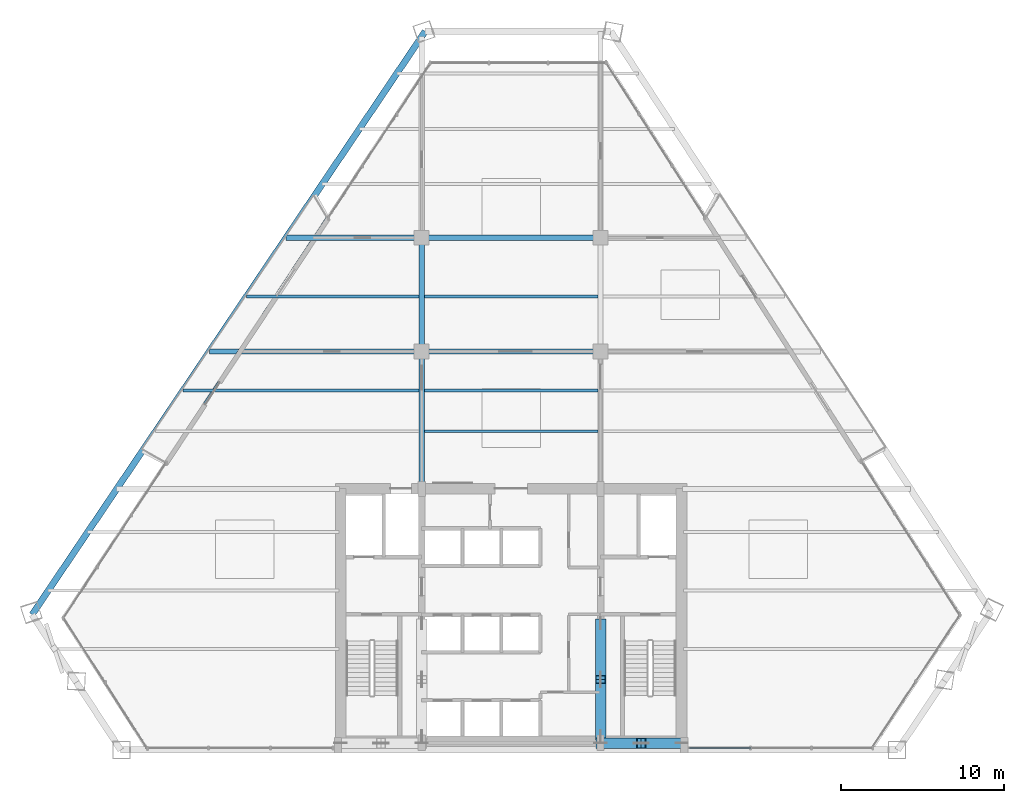
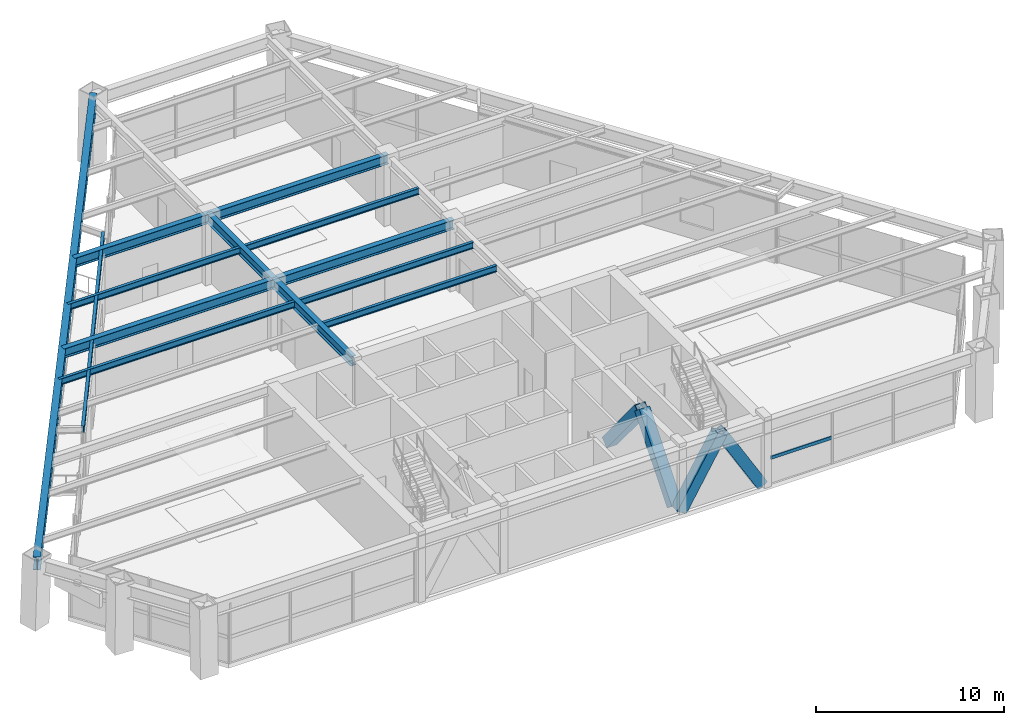
# One storey, part 4 of 12: 13 beams, 5 members, 1 element without a shape of its own.
"""IFC4 building model written with IfcOpenShell, lengths in metres."""

import ifcopenshell
import ifcopenshell.guid

model = None  # the IFC model being written
_history = None  # IfcOwnerHistory: only IFC2X3 demands one
_inside = {}  # id of a spatial element -> (the spatial element, [elements in it])
_under = {}  # id of a project, library or spatial element -> (it, [spatial elements below it])
_declared = {}  # id of a project -> (the project, [libraries it declares])
_typed = {}  # id of a type object -> (the type object, [elements of that type])
_made_of = {}  # id of a material, layer set ... -> (it, [elements and type objects made of it])


def new_model(schema):
    """Start an empty IFC model of exactly this schema.

    Asked for "IFC4X3", IfcOpenShell would pick the latest addendum, in which some entities
    have other attributes; the version numbers below select the first issue.
    IFC2X3 requires an IfcOwnerHistory on every rooted entity: one is made here for all.
    """
    global model, _history
    if schema == "IFC4X3":
        model = ifcopenshell.file(schema_version=(4, 3, 0, 0))
    else:
        model = ifcopenshell.file(schema=schema)
    _inside.clear()
    _under.clear()
    _declared.clear()
    _typed.clear()
    _made_of.clear()
    _history = None
    if model.schema == "IFC2X3":
        org = make("IfcOrganization", Name="unknown")
        user = make(
            "IfcPersonAndOrganization",
            ThePerson=make("IfcPerson", FamilyName="unknown"),
            TheOrganization=org,
        )
        app = make(
            "IfcApplication",
            ApplicationDeveloper=org,
            Version="unknown",
            ApplicationFullName="unknown",
            ApplicationIdentifier="unknown",
        )
        _history = make(
            "IfcOwnerHistory",
            OwningUser=user,
            OwningApplication=app,
            ChangeAction="ADDED",
            CreationDate=0,
        )
    return model


def make(cls, **values):
    """One entity of the class cls with the attributes given. An attribute that is None is left unset."""
    return model.create_entity(
        cls, **{name: value for name, value in values.items() if value is not None}
    )


def rooted(cls, **values):
    """An entity with a GlobalId (a new one), such as an element, a storey or a relation."""
    return make(cls, GlobalId=ifcopenshell.guid.new(), OwnerHistory=_history, **values)


def si_unit(unit_type, name, prefix=None):
    """IfcSIUnit, for example si_unit("LENGTHUNIT", "METRE", prefix="MILLI")."""
    return make("IfcSIUnit", UnitType=unit_type, Prefix=prefix, Name=name)


def assignment(units):
    """IfcUnitAssignment: the units of a project."""
    return None if units is None else make("IfcUnitAssignment", Units=units)


def point(xyz):
    """IfcCartesianPoint."""
    return None if xyz is None else make("IfcCartesianPoint", Coordinates=xyz)


def direction(xyz):
    """IfcDirection."""
    return None if xyz is None else make("IfcDirection", DirectionRatios=xyz)


def frame(location, z_axis=None, x_axis=None):
    """IfcAxis2Placement3D, a coordinate frame: its origin and axes. An axis left out is left unset."""
    return make(
        "IfcAxis2Placement3D",
        Location=point(location),
        Axis=direction(z_axis),
        RefDirection=direction(x_axis),
    )


def frame_2d(location, x_axis=None):
    """IfcAxis2Placement2D, a coordinate frame in the plane: its origin and x axis."""
    return make(
        "IfcAxis2Placement2D", Location=point(location), RefDirection=direction(x_axis)
    )


def origin():
    """The frame at (0, 0, 0) with its axes left unset."""
    return frame((0.0, 0.0, 0.0))


def origin_2d():
    """The frame at (0, 0) in the plane with its x axis left unset."""
    return frame_2d((0.0, 0.0))


def place(relative_to, where):
    """IfcLocalPlacement: puts the frame where relative to a parent placement (None: the world)."""
    return make(
        "IfcLocalPlacement", PlacementRelTo=relative_to, RelativePlacement=where
    )


def context(
    kind, dimensions, precision=None, world=None, true_north=None, identifier=None
):
    """IfcGeometricRepresentationContext, for example the 3D "Model" context."""
    return make(
        "IfcGeometricRepresentationContext",
        ContextIdentifier=identifier,
        ContextType=kind,
        CoordinateSpaceDimension=dimensions,
        Precision=precision,
        WorldCoordinateSystem=world,
        TrueNorth=true_north,
    )


def subcontext(parent, identifier, kind, view, scale=None):
    """IfcGeometricRepresentationSubContext, for example "Body" below "Model"."""
    return make(
        "IfcGeometricRepresentationSubContext",
        ContextIdentifier=identifier,
        ContextType=kind,
        ParentContext=parent,
        TargetScale=scale,
        TargetView=view,
    )


def project(units=None, contexts=None):
    """IfcProject with its units and contexts."""
    return rooted(
        "IfcProject",
        Name="project",
        RepresentationContexts=contexts,
        UnitsInContext=assignment(units),
    )


def spatial(cls, under=None, at=None, **own):
    """A site, building, storey or space (cls), placed at a placement, below another one or the project."""
    s = rooted(cls, ObjectPlacement=at, **own)
    if under is not None:
        _under.setdefault(under.id(), (under, []))[1].append(s)
    return s


def profile(cls, at=None, kind="AREA", **sizes):
    """A parametric profile (cls). Its sizes go by their IFC names, for example OverallWidth=200.0."""
    return make(cls, ProfileType=kind, Position=at, **sizes)


def rectangle(**sizes):
    """IfcRectangleProfileDef."""
    return profile("IfcRectangleProfileDef", **sizes)


def hollow_rectangle(**sizes):
    """IfcRectangleHollowProfileDef."""
    return profile("IfcRectangleHollowProfileDef", **sizes)


def i_section(**sizes):
    """IfcIShapeProfileDef."""
    return profile("IfcIShapeProfileDef", **sizes)


def extrude(swept, where, along, depth):
    """IfcExtrudedAreaSolid: the profile swept, set in the frame where, extruded along a direction by depth."""
    return make(
        "IfcExtrudedAreaSolid",
        SweptArea=swept,
        Position=where,
        ExtrudedDirection=direction(along),
        Depth=depth,
    )


def shape(context_of_items, identifier, shape_type, items):
    """IfcShapeRepresentation: the items that make up one representation, for example the "Body"."""
    return make(
        "IfcShapeRepresentation",
        ContextOfItems=context_of_items,
        RepresentationIdentifier=identifier,
        RepresentationType=shape_type,
        Items=items,
    )


def source(mapping_origin, context_of_items, identifier, shape_type, items):
    """IfcRepresentationMap: a shape defined once, which mapped items show again and again."""
    return make(
        "IfcRepresentationMap",
        MappingOrigin=mapping_origin,
        MappedRepresentation=shape(context_of_items, identifier, shape_type, items),
    )


def transform(
    local_origin,
    x_axis=None,
    y_axis=None,
    z_axis=None,
    scale=None,
    scale2=None,
    scale3=None,
    uniform=True,
):
    """IfcCartesianTransformationOperator3D, or its non-uniform kind. x_axis, y_axis, z_axis: its Axis1, 2, 3."""
    if uniform:
        return make(
            "IfcCartesianTransformationOperator3D",
            Axis1=direction(x_axis),
            Axis2=direction(y_axis),
            LocalOrigin=point(local_origin),
            Scale=scale,
            Axis3=direction(z_axis),
        )
    return make(
        "IfcCartesianTransformationOperator3DnonUniform",
        Axis1=direction(x_axis),
        Axis2=direction(y_axis),
        LocalOrigin=point(local_origin),
        Scale=scale,
        Axis3=direction(z_axis),
        Scale2=scale2,
        Scale3=scale3,
    )


def mapped(mapping_source, mapping_target):
    """IfcMappedItem: shows the shape of a source again, moved by a transform."""
    return make(
        "IfcMappedItem", MappingSource=mapping_source, MappingTarget=mapping_target
    )


def material(Name=None, Category=None):
    """IfcMaterial."""
    return make("IfcMaterial", Name=Name, Category=Category)


def material_profile(
    of_material, cross_section, Name=None, Category=None, Priority=None
):
    """IfcMaterialProfile: a cross section and its material."""
    return make(
        "IfcMaterialProfile",
        Name=Name,
        Material=of_material,
        Profile=cross_section,
        Priority=Priority,
        Category=Category,
    )


def profile_set(profiles, Name=None, composite=None):
    """IfcMaterialProfileSet."""
    return make(
        "IfcMaterialProfileSet",
        Name=Name,
        MaterialProfiles=profiles,
        CompositeProfile=composite,
    )


def made_of(thing, what):
    """Note that an element or type object is made of a material, layer set ...; save() writes the relation."""
    if what is not None:
        _made_of.setdefault(what.id(), (what, []))[1].append(thing)
    return thing


def type_object(cls, material=None, **own):
    """A type object (cls), such as IfcWallType, which elements share."""
    return made_of(rooted(cls, **own), material)


def type_shapes(of_type, sources):
    """Give a type object the sources (RepresentationMaps) that its elements show as mapped items."""
    of_type.RepresentationMaps = sources


def element(
    cls,
    number,
    at=None,
    inside=None,
    cuts=None,
    type_object=None,
    material=None,
    context=None,
    identifier="Body",
    shape_type=None,
    held_by="IfcProductDefinitionShape",
    body=None,
    shapes=None,
    **own,
):
    """One element of the class cls, such as IfcWall. Its Tag is "e" and its number.

    at: its placement. inside: the storey or other place that contains it. cuts: it is an
    opening in that element (IfcRelVoidsElement). A single representation is given by context,
    identifier, shape_type and body (its items); several are given by shapes. held_by: the class
    of the entity that holds the representations. save() writes the other relations.
    """
    e = rooted(cls, Tag="e%d" % number, ObjectPlacement=at, **own)
    if body is not None:
        shapes = [shape(context, identifier, shape_type, body)]
    if shapes is not None:
        e.Representation = make(held_by, Representations=shapes)
    if inside is not None:
        _inside.setdefault(inside.id(), (inside, []))[1].append(e)
    if cuts is not None:
        rooted(
            "IfcRelVoidsElement", RelatingBuildingElement=cuts, RelatedOpeningElement=e
        )
    if type_object is not None:
        _typed.setdefault(type_object.id(), (type_object, []))[1].append(e)
    return made_of(e, material)


def aggregate(whole, parts):
    """IfcRelAggregates: a whole, such as a stair, and the parts it consists of."""
    return rooted("IfcRelAggregates", RelatingObject=whole, RelatedObjects=parts)


def save(model, path):
    """Write the relations noted so far, then the file.

    IfcRelAggregates (storeys below a building ...), IfcRelContainedInSpatialStructure (elements
    in a storey), IfcRelDefinesByType, IfcRelAssociatesMaterial and IfcRelDeclares: one each for
    every whole, place, type object, material and project.
    """
    for whole, parts in _under.values():
        aggregate(whole, parts)
    for where, things in _inside.values():
        rooted(
            "IfcRelContainedInSpatialStructure",
            RelatedElements=things,
            RelatingStructure=where,
        )
    for kind, things in _typed.values():
        rooted("IfcRelDefinesByType", RelatedObjects=things, RelatingType=kind)
    for what, things in _made_of.values():
        rooted("IfcRelAssociatesMaterial", RelatedObjects=things, RelatingMaterial=what)
    for by, libraries in _declared.values():
        rooted("IfcRelDeclares", RelatingContext=by, RelatedDefinitions=libraries)
    model.write(path)


model = new_model("IFC4")

# Units and contexts
model_context = context("Model", 3, precision=1e-05, world=origin(), true_north=direction((0.0, 1.0)))
body_context = subcontext(model_context, "Body", "Model", "MODEL_VIEW")
ifc_project = project(units=[si_unit("LENGTHUNIT", "METRE"), si_unit("AREAUNIT", "SQUARE_METRE"), si_unit("VOLUMEUNIT", "CUBIC_METRE"), si_unit("PLANEANGLEUNIT", "RADIAN"), si_unit("MASSUNIT", "GRAM", prefix="KILO")], contexts=[model_context])

# Site, building, storey
site_placement = place(None, origin())
site = spatial("IfcSite", under=ifc_project, at=site_placement, CompositionType="ELEMENT")
building_placement = place(site_placement, origin())
building = spatial("IfcBuilding", under=site, at=building_placement, Name="Varnakhor Terracotta Tower", CompositionType="ELEMENT")
storey_placement = place(building_placement, frame((0.0, 0.0, 121.0)))
storey = spatial("IfcBuildingStorey", under=building, at=storey_placement, Name="L30", CompositionType="ELEMENT", Elevation=121.0)

# Beams
ifc_material_1 = material(Name="Steel S355", Category="steel")
ifc_material_profile_1 = material_profile(ifc_material_1, i_section(OverallWidth=0.39990234375, OverallDepth=0.85498046875, WebThickness=0.01806640625, FlangeThickness=0.029052734375, FilletRadius=0.01806640625, at=origin_2d()), Name="W33X201")
ifc_profile_set_1 = profile_set([ifc_material_profile_1], Name="Steel S355")
beam_type_1 = type_object("IfcBeamType", Name="BM-W33X201", PredefinedType="BEAM", material=ifc_profile_set_1)
shared_shape_1 = source(origin(), body_context, "Body", "SweptSolid", [
    extrude(i_section(OverallWidth=0.39990234375, OverallDepth=0.85498046875, WebThickness=0.01806640625, FlangeThickness=0.029052734375, FilletRadius=0.01806640625, at=origin_2d()), origin(), (0.0, 0.0, 1.0), 43.261962890625),
])
beam_1_placement = place(storey_placement, frame((-5.282958984375, 44.197509765625, 3.9423828125), z_axis=(-0.558908635875, -0.829229242576, 0.0), x_axis=(0.829229242576, -0.558908635875, 0.0)))
element("IfcBeam", 1, at=beam_1_placement, inside=storey, type_object=beam_type_1, Name="L30 Perimeter Spandrel 6", PredefinedType="BEAM", context=body_context, shape_type="MappedRepresentation", body=[
    mapped(shared_shape_1, transform((0.0, 0.0, 0.0), scale=1.0)),
])
ifc_material_profile_2 = material_profile(ifc_material_1, i_section(OverallWidth=0.179931640625, OverallDepth=0.39990234375, WebThickness=0.008544921875, FlangeThickness=0.013427734375, FilletRadius=0.01806640625, at=origin_2d()), Name="IPE400")
ifc_profile_set_2 = profile_set([ifc_material_profile_2], Name="Steel S355")
beam_type_2 = type_object("IfcBeamType", Name="JST-IPE400", PredefinedType="JOIST", material=ifc_profile_set_2)
shared_shape_2 = source(origin(), body_context, "Body", "SweptSolid", [
    extrude(i_section(OverallWidth=0.179931640625, OverallDepth=0.39990234375, WebThickness=0.008544921875, FlangeThickness=0.013427734375, FilletRadius=0.01806640625, at=origin_2d()), origin(), (0.0, 0.0, 1.0), 18.135498046875),
])
beam_2_placement = place(storey_placement, frame((-11.276611328125, 32.76171875, 4.169921875), z_axis=(-0.550371378275, -0.834919963814, 0.0), x_axis=(0.834919963814, -0.550371378275, 0.0)))
element("IfcBeam", 2, at=beam_2_placement, inside=storey, type_object=beam_type_2, Name="L30 Loggia Edge Beam 2", PredefinedType="JOIST", context=body_context, shape_type="MappedRepresentation", body=[
    mapped(shared_shape_2, transform((0.0, 0.0, 0.0), scale=1.0)),
])
ifc_material_profile_3 = material_profile(ifc_material_1, i_section(OverallWidth=0.324951171875, OverallDepth=0.615966796875, WebThickness=0.013916015625, FlangeThickness=0.02197265625, FilletRadius=0.01806640625, at=origin_2d()), Name="W24X117")
ifc_profile_set_3 = profile_set([ifc_material_profile_3], Name="Steel S355")
beam_type_3 = type_object("IfcBeamType", Name="BM-W24X117", PredefinedType="BEAM", material=ifc_profile_set_3)
shared_shape_3 = source(origin(), body_context, "Body", "SweptSolid", [
    extrude(i_section(OverallWidth=0.324951171875, OverallDepth=0.615966796875, WebThickness=0.013916015625, FlangeThickness=0.02197265625, FilletRadius=0.01806640625, at=origin_2d()), origin(), (0.0, 0.0, 1.0), 8.449951171875),
])
type_shapes(beam_type_3, [shared_shape_3])
beam_3_placement = place(storey_placement, frame((-5.5, 16.050048828125, 4.06201171875), z_axis=(0.0, 1.0, 0.0), x_axis=(-1.0, 0.0, 0.0)))
element("IfcBeam", 3, at=beam_3_placement, inside=storey, type_object=beam_type_3, Name="L30 Primary Girder NS1-W", PredefinedType="BEAM", context=body_context, shape_type="MappedRepresentation", body=[
    mapped(shared_shape_3, transform((0.0, 0.0, 0.0), scale=1.0)),
])
shared_shape_4 = source(origin(), body_context, "Body", "SweptSolid", [
    extrude(i_section(OverallWidth=0.324951171875, OverallDepth=0.615966796875, WebThickness=0.013916015625, FlangeThickness=0.02197265625, FilletRadius=0.01806640625, at=origin_2d()), origin(), (0.0, 0.0, 1.0), 7.0),
])
beam_4_placement = place(storey_placement, frame((-5.5, 24.5, 4.06201171875), z_axis=(0.0, 1.0, 0.0), x_axis=(-1.0, 0.0, 0.0)))
element("IfcBeam", 4, at=beam_4_placement, inside=storey, type_object=beam_type_3, Name="L30 Primary Girder NS2-W", PredefinedType="BEAM", context=body_context, shape_type="MappedRepresentation", body=[
    mapped(shared_shape_4, transform((0.0, 0.0, 0.0), scale=1.0)),
])
shared_shape_5 = source(origin(), body_context, "Body", "SweptSolid", [
    extrude(i_section(OverallWidth=0.324951171875, OverallDepth=0.615966796875, WebThickness=0.013916015625, FlangeThickness=0.02197265625, FilletRadius=0.01806640625, at=origin_2d()), origin(), (0.0, 0.0, 1.0), 13.059326171875),
])
beam_5_placement = place(storey_placement, frame((-18.559326171875, 24.5, 4.06201171875), z_axis=(1.0, 0.0, 0.0), x_axis=(0.0, 1.0, 0.0)))
element("IfcBeam", 5, at=beam_5_placement, inside=storey, type_object=beam_type_3, Name="L30 Primary Girder EW2-1", PredefinedType="BEAM", context=body_context, shape_type="MappedRepresentation", body=[
    mapped(shared_shape_5, transform((0.0, 0.0, 0.0), scale=1.0)),
])
shared_shape_6 = source(origin(), body_context, "Body", "SweptSolid", [
    extrude(i_section(OverallWidth=0.324951171875, OverallDepth=0.615966796875, WebThickness=0.013916015625, FlangeThickness=0.02197265625, FilletRadius=0.01806640625, at=origin_2d()), origin(), (0.0, 0.0, 1.0), 11.0),
])
for number, where, z_axis, x_axis, name in (
    (6, (-5.5, 24.5, 4.06201171875), (1.0, 0.0, 0.0), (0.0, 1.0, 0.0), "L30 Primary Girder EW2-2"),
    (7, (-5.5, 31.5, 4.06201171875), (1.0, 0.0, 0.0), (0.0, 1.0, 0.0), "L30 Primary Girder EW3-2"),
):
    element("IfcBeam", number, at=place(storey_placement, frame(where, z_axis=z_axis, x_axis=x_axis)), inside=storey, type_object=beam_type_3, Name=name, PredefinedType="BEAM", context=body_context, shape_type="MappedRepresentation", body=[
        mapped(shared_shape_6, transform((0.0, 0.0, 0.0), scale=1.0)),
    ])
shared_shape_7 = source(origin(), body_context, "Body", "SweptSolid", [
    extrude(i_section(OverallWidth=0.324951171875, OverallDepth=0.615966796875, WebThickness=0.013916015625, FlangeThickness=0.02197265625, FilletRadius=0.01806640625, at=origin_2d()), origin(), (0.0, 0.0, 1.0), 8.34130859375),
])
beam_6_placement = place(storey_placement, frame((-13.84130859375, 31.5, 4.06201171875), z_axis=(1.0, 0.0, 0.0), x_axis=(0.0, 1.0, 0.0)))
element("IfcBeam", 8, at=beam_6_placement, inside=storey, type_object=beam_type_3, Name="L30 Primary Girder EW3-1", PredefinedType="BEAM", context=body_context, shape_type="MappedRepresentation", body=[
    mapped(shared_shape_7, transform((0.0, 0.0, 0.0), scale=1.0)),
])
ifc_material_profile_4 = material_profile(ifc_material_1, i_section(OverallWidth=0.179931640625, OverallDepth=0.4130859375, WebThickness=0.009765625, FlangeThickness=0.01611328125, FilletRadius=0.01806640625, at=origin_2d()), Name="W16X50")
ifc_profile_set_4 = profile_set([ifc_material_profile_4], Name="Steel S355")
beam_type_4 = type_object("IfcBeamType", Name="JST-W16X50", PredefinedType="JOIST", material=ifc_profile_set_4)
shared_shape_8 = source(origin(), body_context, "Body", "SweptSolid", [
    extrude(i_section(OverallWidth=0.179931640625, OverallDepth=0.4130859375, WebThickness=0.009765625, FlangeThickness=0.01611328125, FilletRadius=0.01806640625, at=origin_2d()), origin(), (0.0, 0.0, 1.0), 10.68310546875),
])
for number, where, z_axis, x_axis, name in (
    (9, (-5.341552734375, 19.60009765625, 4.16357421875), (1.0, 0.0, 0.0), (0.0, 1.0, 0.0), "L30 Composite Floor Joist 4-2"),
    (10, (-5.341552734375, 22.10009765625, 4.16357421875), (1.0, 0.0, 0.0), (0.0, 1.0, 0.0), "L30 Composite Floor Joist 5-2"),
    (11, (-5.341552734375, 27.89990234375, 4.16357421875), (1.0, 0.0, 0.0), (0.0, 1.0, 0.0), "L30 Composite Floor Joist 6-2"),
):
    element("IfcBeam", number, at=place(storey_placement, frame(where, z_axis=z_axis, x_axis=x_axis)), inside=storey, type_object=beam_type_4, Name=name, PredefinedType="JOIST", context=body_context, shape_type="MappedRepresentation", body=[
        mapped(shared_shape_8, transform((0.0, 0.0, 0.0), scale=1.0)),
    ])
shared_shape_9 = source(origin(), body_context, "Body", "SweptSolid", [
    extrude(i_section(OverallWidth=0.179931640625, OverallDepth=0.4130859375, WebThickness=0.009765625, FlangeThickness=0.01611328125, FilletRadius=0.01806640625, at=origin_2d()), origin(), (0.0, 0.0, 1.0), 14.5185546875),
])
beam_7_placement = place(storey_placement, frame((-20.177001953125, 22.10009765625, 4.16357421875), z_axis=(1.0, 0.0, 0.0), x_axis=(0.0, 1.0, 0.0)))
element("IfcBeam", 12, at=beam_7_placement, inside=storey, type_object=beam_type_4, Name="L30 Composite Floor Joist 5-1", PredefinedType="JOIST", context=body_context, shape_type="MappedRepresentation", body=[
    mapped(shared_shape_9, transform((0.0, 0.0, 0.0), scale=1.0)),
])
shared_shape_10 = source(origin(), body_context, "Body", "SweptSolid", [
    extrude(i_section(OverallWidth=0.179931640625, OverallDepth=0.4130859375, WebThickness=0.009765625, FlangeThickness=0.01611328125, FilletRadius=0.01806640625, at=origin_2d()), origin(), (0.0, 0.0, 1.0), 10.609130859375),
])
beam_8_placement = place(storey_placement, frame((-16.267578125, 27.89990234375, 4.16357421875), z_axis=(1.0, 0.0, 0.0), x_axis=(0.0, 1.0, 0.0)))
element("IfcBeam", 13, at=beam_8_placement, inside=storey, type_object=beam_type_4, Name="L30 Composite Floor Joist 6-1", PredefinedType="JOIST", context=body_context, shape_type="MappedRepresentation", body=[
    mapped(shared_shape_10, transform((0.0, 0.0, 0.0), scale=1.0)),
])

# Members
ifc_material_2 = material(Name="Steel S460", Category="steel")
ifc_material_profile_5 = material_profile(ifc_material_2, hollow_rectangle(XDim=0.64990234375, YDim=0.64990234375, WallThickness=0.0400390625, at=origin_2d()), Name="HSS650X650X40")
ifc_profile_set_5 = profile_set([ifc_material_profile_5], Name="Steel S460")
member_type_1 = type_object("IfcMemberType", Name="MBR-MEGA-650", PredefinedType="BRACE", material=ifc_profile_set_5)
shared_shape_11 = source(origin(), body_context, "Body", "SweptSolid", [
    extrude(hollow_rectangle(XDim=0.64990234375, YDim=0.64990234375, WallThickness=0.0400390625, at=origin_2d()), origin(), (0.0, 0.0, 1.0), 4.905029296875),
])
type_shapes(member_type_1, [shared_shape_11])
for number, where, z_axis, x_axis, name in (
    (14, (5.5, 0.419921875, 0.0), (0.509693235521, 0.0, 0.860356208593), (0.0, 1.0, 0.0), "L30 Core Coupled Brace CSEA"),
    (15, (10.5, 0.419921875, 0.0), (-0.509693235521, 0.0, 0.860356208593), (0.0, -1.0, 0.0), "L30 Core Coupled Brace CSEB"),
):
    element("IfcMember", number, at=place(storey_placement, frame(where, z_axis=z_axis, x_axis=x_axis)), inside=storey, type_object=member_type_1, Name=name, PredefinedType="BRACE", context=body_context, shape_type="MappedRepresentation", body=[
        mapped(shared_shape_11, transform((0.0, 0.0, 0.0), scale=1.0)),
    ])
shared_shape_12 = source(origin(), body_context, "Body", "SweptSolid", [
    extrude(hollow_rectangle(XDim=0.64990234375, YDim=0.64990234375, WallThickness=0.0400390625, at=origin_2d()), origin(), (0.0, 0.0, 1.0), 5.466552734375),
])
for number, where, z_axis, x_axis, name in (
    (16, (5.5, 0.85009765625, 0.0), (0.0, 0.635661853954, 0.771967620712), (-1.0, 0.0, 0.0), "L30 Core Coupled Brace CWEA"),
    (17, (5.5, 7.800048828125, 0.0), (0.0, -0.635688467906, 0.771945705196), (1.0, 0.0, 0.0), "L30 Core Coupled Brace CWEB"),
):
    element("IfcMember", number, at=place(storey_placement, frame(where, z_axis=z_axis, x_axis=x_axis)), inside=storey, type_object=member_type_1, Name=name, PredefinedType="BRACE", context=body_context, shape_type="MappedRepresentation", body=[
        mapped(shared_shape_12, transform((0.0, 0.0, 0.0), scale=1.0)),
    ])

# Curtain wall, member
ifc_material_3 = material(Name="Anodised Aluminium Curtain Wall System", Category="aluminium")
curtain_wall_type = type_object("IfcCurtainWallType", Name="CW-SYS-SKYLOBBY", PredefinedType="NOTDEFINED", material=ifc_material_3)
curtain_wall_placement = place(storey_placement, origin())
curtain_wall = element("IfcCurtainWall", 18, at=curtain_wall_placement, inside=storey, type_object=curtain_wall_type, Name="L30 South Wing Curtain Wall SSE", PredefinedType="NOTDEFINED")
ifc_material_4 = material(Name="Anodised Aluminium 6063-T6", Category="aluminium")
ifc_material_profile_6 = material_profile(ifc_material_4, rectangle(XDim=0.090087890625, YDim=0.2099609375, at=origin_2d()), Name="ALU TRANSOM 90x210")
ifc_profile_set_6 = profile_set([ifc_material_profile_6], Name="Anodised Aluminium 6063-T6")
member_type_2 = type_object("IfcMemberType", Name="CWT-05", PredefinedType="USERDEFINED", material=ifc_profile_set_6)
shared_shape_13 = source(origin(), body_context, "Body", "SweptSolid", [
    extrude(rectangle(XDim=0.090087890625, YDim=0.2099609375, at=origin_2d()), origin(), (0.0, 0.0, 1.0), 3.755615234375),
])
member_placement = place(storey_placement, frame((14.7255859375, 0.1201171875, 1.658935546875), z_axis=(-1.0, 0.0, 0.0), x_axis=(0.0, -1.0, 0.0)))
member = element("IfcMember", 19, at=member_placement, type_object=member_type_2, Name="L30 South Wing Curtain Wall SSE Transom 3", ObjectType="TRANSOM", PredefinedType="USERDEFINED", context=body_context, shape_type="MappedRepresentation", body=[
    mapped(shared_shape_13, transform((0.0, 0.0, 0.0), scale=1.0)),
])
aggregate(curtain_wall, [member])

save(model, "model.ifc")
